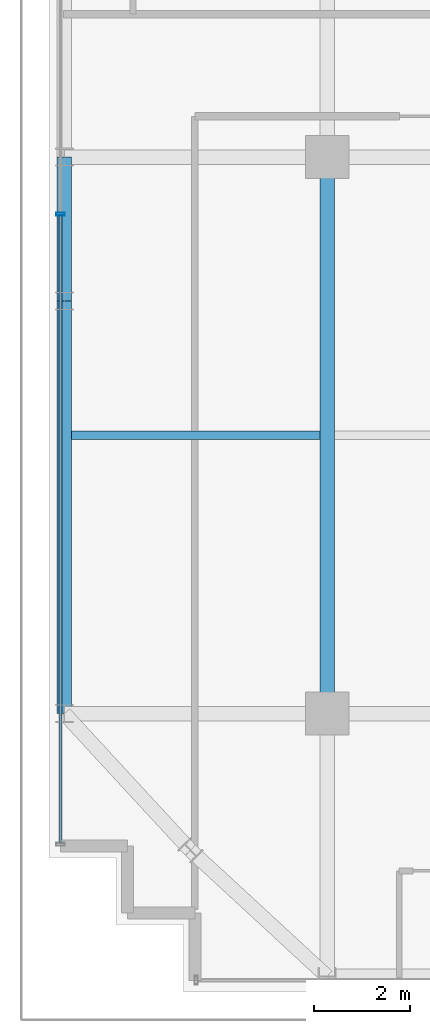
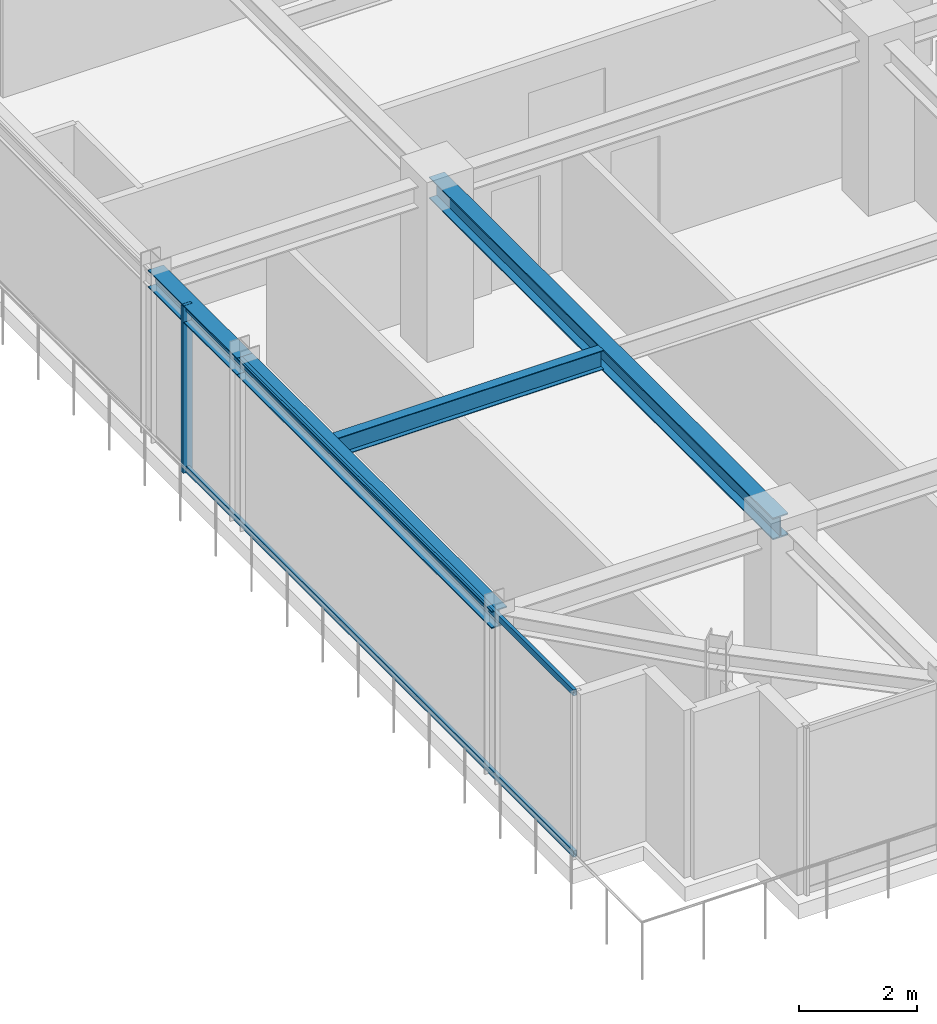
# One storey, part 6 of 32: 4 beams, 3 members, 1 element without a shape of its own.
"""IFC4 building model written with IfcOpenShell, lengths in metres."""

from ifc_helpers import new_model, si_unit, direction, frame, origin, origin_2d, place, context, subcontext, project, spatial, hollow_rectangle, i_section, extrude, source, transform, mapped, material, material_profile, profile_set, type_object, element, aggregate, save


model = new_model("IFC4")

# Units and contexts
model_context = context("Model", 3, precision=1e-05, world=origin(), true_north=direction((0.0, 1.0)))
body_context = subcontext(model_context, "Body", "Model", "MODEL_VIEW")
ifc_project = project(units=[si_unit("LENGTHUNIT", "METRE"), si_unit("AREAUNIT", "SQUARE_METRE"), si_unit("VOLUMEUNIT", "CUBIC_METRE"), si_unit("PLANEANGLEUNIT", "RADIAN"), si_unit("MASSUNIT", "GRAM", prefix="KILO")], contexts=[model_context])

# Site, building, storey
site_placement = place(None, origin())
site = spatial("IfcSite", under=ifc_project, at=site_placement, CompositionType="ELEMENT")
building_placement = place(site_placement, origin())
building = spatial("IfcBuilding", under=site, at=building_placement, Name="Nahalor Promenade Grand Hotel", CompositionType="ELEMENT")
storey_placement = place(building_placement, frame((0.0, 0.0, 266.300048828125)))
storey = spatial("IfcBuildingStorey", under=building, at=storey_placement, Name="L68", CompositionType="ELEMENT", Elevation=266.300048828125)

# Beams
ifc_material_1 = material(Name="Steel S355JR", Category="steel")
ifc_material_profile_1 = material_profile(ifc_material_1, i_section(OverallWidth=0.3, OverallDepth=0.45, WebThickness=0.014, FlangeThickness=0.026, at=origin_2d()), Name="HEB 450")
ifc_profile_set_1 = profile_set([ifc_material_profile_1], Name="Steel S355JR")
beam_type_1 = type_object("IfcBeamType", Name="Beam-Girder-HEB450", PredefinedType="BEAM", material=ifc_profile_set_1)
shared_shape_1 = source(origin(), body_context, "Body", "SweptSolid", [
    extrude(i_section(OverallWidth=0.3, OverallDepth=0.45, WebThickness=0.014, FlangeThickness=0.026, at=origin_2d()), origin(), (0.0, 0.0, 1.0), 11.60009765625),
])
beam_1_placement = place(storey_placement, frame((-17.0, -17.0, 3.224853515625), z_axis=(0.0, 1.0, 0.0), x_axis=(-1.0, 0.0, 0.0)))
element("IfcBeam", 1, at=beam_1_placement, inside=storey, type_object=beam_type_1, Name="BM-L68-GY-0-1", PredefinedType="BEAM", context=body_context, shape_type="MappedRepresentation", body=[
    mapped(shared_shape_1, transform((0.0, 0.0, 0.0), scale=1.0)),
])
ifc_material_profile_2 = material_profile(ifc_material_1, i_section(OverallWidth=0.18, OverallDepth=0.4, WebThickness=0.0086, FlangeThickness=0.0135, at=origin_2d()), Name="IPE 400")
ifc_profile_set_2 = profile_set([ifc_material_profile_2], Name="Steel S355JR")
beam_type_2 = type_object("IfcBeamType", Name="Beam-Joist-IPE400", PredefinedType="JOIST", material=ifc_profile_set_2)
shared_shape_2 = source(origin(), body_context, "Body", "SweptSolid", [
    extrude(i_section(OverallWidth=0.18, OverallDepth=0.4, WebThickness=0.0086, FlangeThickness=0.0135, at=origin_2d()), origin(), (0.0, 0.0, 1.0), 5.18017578125),
])
beam_2_placement = place(storey_placement, frame((-22.330078125, -11.199951171875, 3.25), z_axis=(1.0, 0.0, 0.0), x_axis=(0.0, 1.0, 0.0)))
element("IfcBeam", 2, at=beam_2_placement, inside=storey, type_object=beam_type_2, Name="BM-L68-JSW-0-0", PredefinedType="JOIST", context=body_context, shape_type="MappedRepresentation", body=[
    mapped(shared_shape_2, transform((0.0, 0.0, 0.0), scale=1.0)),
])
ifc_material_profile_3 = material_profile(ifc_material_1, i_section(OverallWidth=0.3, OverallDepth=0.36, WebThickness=0.0125, FlangeThickness=0.0225, at=origin_2d()), Name="HEB 360")
ifc_profile_set_3 = profile_set([ifc_material_profile_3], Name="Steel S355JR")
beam_type_3 = type_object("IfcBeamType", Name="Beam-Spandrel-HEB360", PredefinedType="SPANDREL", material=ifc_profile_set_3)
shared_shape_3 = source(origin(), body_context, "Body", "SweptSolid", [
    extrude(i_section(OverallWidth=0.3, OverallDepth=0.36, WebThickness=0.0125, FlangeThickness=0.0225, at=origin_2d()), origin(), (0.0, 0.0, 1.0), 8.60009765625),
])
beam_3_placement = place(storey_placement, frame((-22.47998046875, -17.0, 3.27001953125), z_axis=(0.0, 1.0, 0.0), x_axis=(-1.0, 0.0, 0.0)))
element("IfcBeam", 3, at=beam_3_placement, inside=storey, type_object=beam_type_3, Name="BM-L68-SP-W-0", PredefinedType="SPANDREL", context=body_context, shape_type="MappedRepresentation", body=[
    mapped(shared_shape_3, transform((0.0, 0.0, 0.0), scale=1.0)),
])
shared_shape_4 = source(origin(), body_context, "Body", "SweptSolid", [
    extrude(i_section(OverallWidth=0.3, OverallDepth=0.36, WebThickness=0.0125, FlangeThickness=0.0225, at=origin_2d()), origin(), (0.0, 0.0, 1.0), 3.0),
])
beam_4_placement = place(storey_placement, frame((-22.47998046875, -8.39990234375, 3.27001953125), z_axis=(0.0, 1.0, 0.0), x_axis=(-1.0, 0.0, 0.0)))
element("IfcBeam", 4, at=beam_4_placement, inside=storey, type_object=beam_type_3, Name="BM-L68-SP-W-1", PredefinedType="SPANDREL", context=body_context, shape_type="MappedRepresentation", body=[
    mapped(shared_shape_4, transform((0.0, 0.0, 0.0), scale=1.0)),
])

# Curtain wall, members
ifc_material_2 = material(Name="Anodised Bronze Aluminium EN AW-6063 T6", Category="aluminium")
curtain_wall_type = type_object("IfcCurtainWallType", Name="CW2 Typical Hotel Flush Bronze Unitised Curtain Wall", PredefinedType="USERDEFINED", material=ifc_material_2)
curtain_wall_placement = place(storey_placement, origin())
curtain_wall = element("IfcCurtainWall", 5, at=curtain_wall_placement, inside=storey, type_object=curtain_wall_type, Name="L68 Curtain Wall CW-L68-W-1", ObjectType="UNITISED_CURTAIN_WALL", PredefinedType="USERDEFINED")
ifc_material_profile_4 = material_profile(ifc_material_2, hollow_rectangle(XDim=0.065, YDim=0.13, WallThickness=0.004, at=origin_2d()), Name="CWT 65x130x4")
ifc_profile_set_4 = profile_set([ifc_material_profile_4], Name="Anodised Bronze Aluminium EN AW-6063 T6")
member_type_1 = type_object("IfcMemberType", Name="CWT2 Typical Bronze Transom 65x130", PredefinedType="USERDEFINED", material=ifc_profile_set_4)
shared_shape_5 = source(origin(), body_context, "Body", "SweptSolid", [
    extrude(hollow_rectangle(XDim=0.065, YDim=0.13, WallThickness=0.004, at=origin_2d()), origin(), (0.0, 0.0, 1.0), 13.075927734375),
])
member_1_placement = place(storey_placement, frame((-22.56005859375, -19.695068359375, 0.06494140625), z_axis=(0.0, 1.0, 0.0), x_axis=(-1.0, 0.0, 0.0)))
member_1 = element("IfcMember", 6, at=member_1_placement, type_object=member_type_1, Name="CW-L68-W-1 Transom 0-0", ObjectType="TRANSOM", PredefinedType="USERDEFINED", context=body_context, shape_type="MappedRepresentation", body=[
    mapped(shared_shape_5, transform((0.0, 0.0, 0.0), scale=1.0)),
])
member_2_placement = place(storey_placement, frame((-22.56005859375, -19.695068359375, 3.385009765625), z_axis=(0.0, 1.0, 0.0), x_axis=(-1.0, 0.0, 0.0)))
member_2 = element("IfcMember", 7, at=member_2_placement, type_object=member_type_1, Name="CW-L68-W-1 Transom 0-1", ObjectType="TRANSOM", PredefinedType="USERDEFINED", context=body_context, shape_type="MappedRepresentation", body=[
    mapped(shared_shape_5, transform((0.0, 0.0, 0.0), scale=1.0)),
])
ifc_material_profile_5 = material_profile(ifc_material_2, hollow_rectangle(XDim=0.065, YDim=0.18, WallThickness=0.004, at=origin_2d()), Name="CWM 65x180x4")
ifc_profile_set_5 = profile_set([ifc_material_profile_5], Name="Anodised Bronze Aluminium EN AW-6063 T6")
member_type_2 = type_object("IfcMemberType", Name="CWM2 Typical Bronze Mullion 65x180", PredefinedType="MULLION", material=ifc_profile_set_5)
shared_shape_6 = source(origin(), body_context, "Body", "SweptSolid", [
    extrude(hollow_rectangle(XDim=0.065, YDim=0.18, WallThickness=0.004, at=origin_2d()), origin(), (0.0, 0.0, 1.0), 3.449951171875),
])
member_3_placement = place(storey_placement, frame((-22.56005859375, -6.586669921875, 0.0), z_axis=(0.0, 0.0, 1.0), x_axis=(0.0, 1.0, 0.0)))
member_3 = element("IfcMember", 8, at=member_3_placement, type_object=member_type_2, Name="CW-L68-W-1 Mullion 1", PredefinedType="MULLION", context=body_context, shape_type="MappedRepresentation", body=[
    mapped(shared_shape_6, transform((0.0, 0.0, 0.0), scale=1.0)),
])
aggregate(curtain_wall, [member_3, member_1, member_2])

save(model, "model.ifc")
